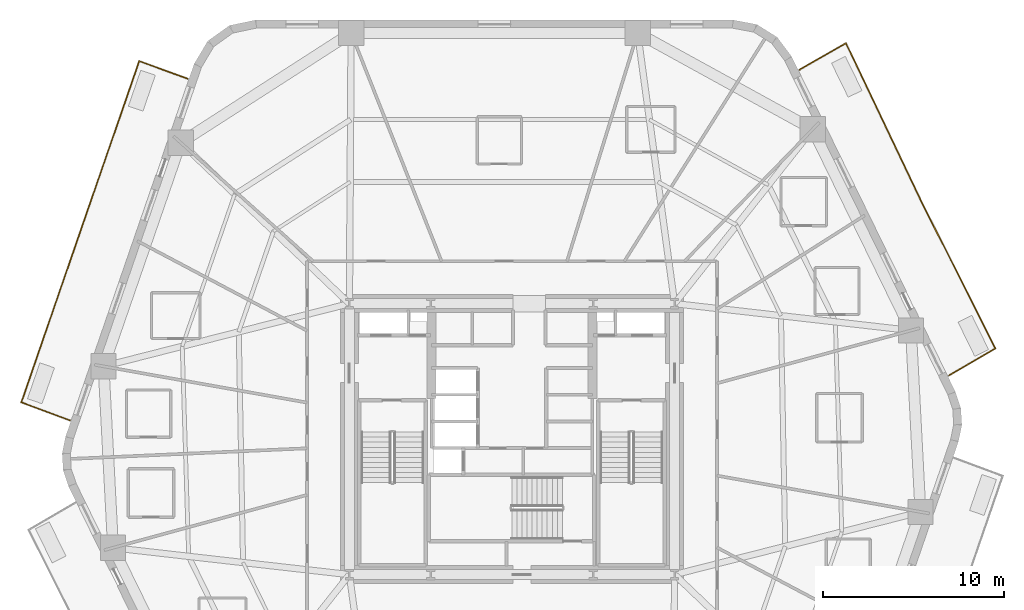
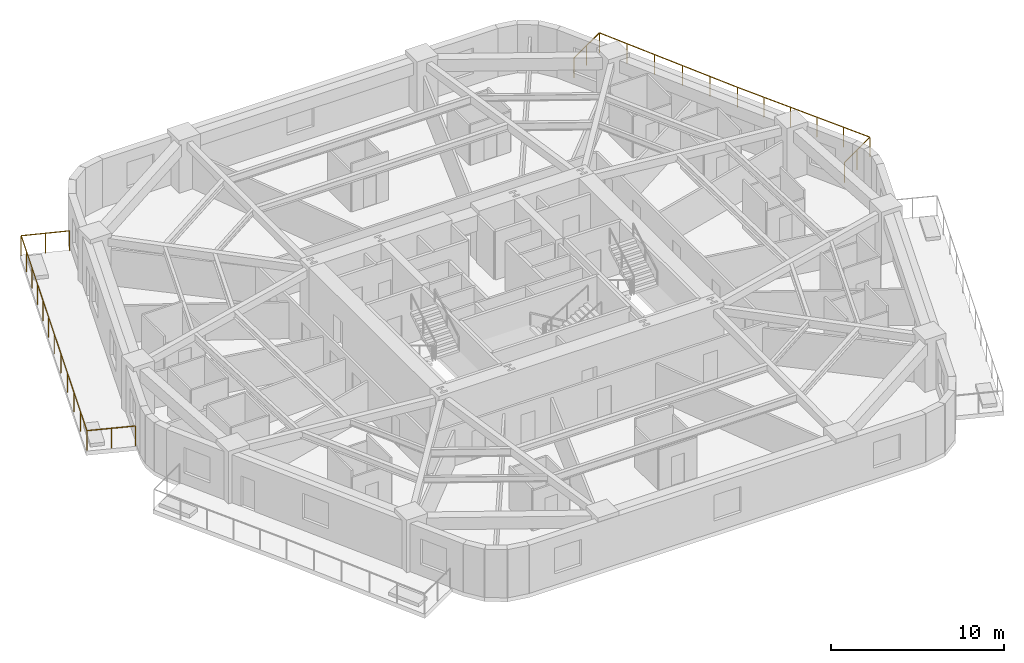
# One storey, part 10 of 10: 2 railings.
"""IFC4 building model written with IfcOpenShell, lengths in metres."""

from ifc_helpers import new_model, si_unit, direction, frame, origin, origin_2d, place, context, subcontext, project, spatial, rectangle, extrude, material, layer, layer_set, type_object, element, save


model = new_model("IFC4")

# Units and contexts
model_context = context("Model", 3, precision=1e-05, world=origin(), true_north=direction((0.0, 1.0)))
body_context = subcontext(model_context, "Body", "Model", "MODEL_VIEW")
ifc_project = project(units=[si_unit("LENGTHUNIT", "METRE"), si_unit("AREAUNIT", "SQUARE_METRE"), si_unit("VOLUMEUNIT", "CUBIC_METRE"), si_unit("PLANEANGLEUNIT", "RADIAN"), si_unit("MASSUNIT", "GRAM", prefix="KILO")], contexts=[model_context])

# Site, building, storey
site_placement = place(None, origin())
site = spatial("IfcSite", under=ifc_project, at=site_placement, CompositionType="ELEMENT")
building_placement = place(site_placement, origin())
building = spatial("IfcBuilding", under=site, at=building_placement, Name="Kilnhurst Terrace Hotel", CompositionType="ELEMENT")
storey_placement = place(building_placement, frame((0.0, 0.0, 78.60009765625)))
storey = spatial("IfcBuildingStorey", under=building, at=storey_placement, Name="L18", CompositionType="ELEMENT", Elevation=78.60009765625)

# Railings
ifc_material = material(Name="Laminated SentryGlas and Stainless Steel AISI 316L Balustrade", Category="steel")
ifc_layer = layer(ifc_material, 0.070068359375, Name="Laminated SentryGlas and Stainless Steel AISI 316L Balustrade")
ifc_layer_set = layer_set([ifc_layer], Name="Laminated SentryGlas and Stainless Steel AISI 316L Balustrade")
railing_type = type_object("IfcRailingType", Name="RLG-BAL-1420", PredefinedType="BALUSTRADE", material=ifc_layer_set)
railing_1_placement = place(storey_placement, frame((15.923095703125, 20.44873046875, 0.0)))
element("IfcRailing", 1, at=railing_1_placement, inside=storey, type_object=railing_type, Name="L18 Exterior Terrace Guardrail BAL-L1B.1", PredefinedType="BALUSTRADE", context=body_context, shape_type="SweptSolid", body=[
    extrude(rectangle(XDim=0.048095703125, YDim=0.048095703125, at=origin_2d()), frame((0.0, 0.0, 1.39599609375), z_axis=(0.86763656582, 0.497198943736, 0.0), x_axis=(-0.497198943736, 0.86763656582, 0.0)), (0.0, 0.0, 1.0), 2.95068359375),
    extrude(rectangle(XDim=0.048095703125, YDim=0.048095703125, at=origin_2d()), frame((2.56005859375, 1.467041015625, 1.39599609375), z_axis=(0.430147205624, -0.902758761516, 0.0), x_axis=(0.902758761516, 0.430147205624, 0.0)), (0.0, 0.0, 1.0), 9.67041015625),
    extrude(rectangle(XDim=0.048095703125, YDim=0.048095703125, at=origin_2d()), frame((6.7197265625, -7.262939453125, 1.39599609375), z_axis=(0.514495755428, -0.857492925713, 0.0), x_axis=(0.857492925713, 0.514495755428, 0.0)), (0.0, 0.0, 1.0), 0.00146484375),
    extrude(rectangle(XDim=0.048095703125, YDim=0.048095703125, at=origin_2d()), frame((6.720458984375, -7.26416015625, 1.39599609375), z_axis=(0.449648824937, -0.89320542667, 0.0), x_axis=(0.89320542667, 0.449648824937, 0.0)), (0.0, 0.0, 1.0), 9.136962890625),
    extrude(rectangle(XDim=0.048095703125, YDim=0.048095703125, at=origin_2d()), frame((10.828857421875, -15.42529296875, 1.39599609375), z_axis=(-0.863737120301, -0.503942642584, 0.0), x_axis=(0.503942642584, -0.863737120301, 0.0)), (0.0, 0.0, 1.0), 2.96728515625),
    extrude(rectangle(XDim=0.0419921875, YDim=0.0419921875, at=origin_2d()), origin(), (0.0, 0.0, 1.0), 1.371826171875),
    extrude(rectangle(XDim=0.0419921875, YDim=0.0419921875, at=origin_2d()), frame((1.280029296875, 0.7333984375, 0.0)), (0.0, 0.0, 1.0), 1.371826171875),
    extrude(rectangle(XDim=0.0419921875, YDim=0.0419921875, at=origin_2d()), frame((2.56005859375, 1.467041015625, 0.0)), (0.0, 0.0, 1.0), 1.371826171875),
    extrude(rectangle(XDim=0.0419921875, YDim=0.0419921875, at=origin_2d()), frame((3.39208984375, -0.279052734375, 0.0)), (0.0, 0.0, 1.0), 1.371826171875),
    extrude(rectangle(XDim=0.0419921875, YDim=0.0419921875, at=origin_2d()), frame((4.223876953125, -2.02490234375, 0.0)), (0.0, 0.0, 1.0), 1.371826171875),
    extrude(rectangle(XDim=0.0419921875, YDim=0.0419921875, at=origin_2d()), frame((5.055908203125, -3.77099609375, 0.0)), (0.0, 0.0, 1.0), 1.371826171875),
    extrude(rectangle(XDim=0.0419921875, YDim=0.0419921875, at=origin_2d()), frame((5.8876953125, -5.516845703125, 0.0)), (0.0, 0.0, 1.0), 1.371826171875),
    extrude(rectangle(XDim=0.0419921875, YDim=0.0419921875, at=origin_2d()), frame((6.7197265625, -7.262939453125, 0.0)), (0.0, 0.0, 1.0), 1.371826171875),
    extrude(rectangle(XDim=0.0419921875, YDim=0.0419921875, at=origin_2d()), frame((6.720458984375, -7.26416015625, 0.0)), (0.0, 0.0, 1.0), 1.371826171875),
    extrude(rectangle(XDim=0.0419921875, YDim=0.0419921875, at=origin_2d()), frame((7.542236328125, -8.896484375, 0.0)), (0.0, 0.0, 1.0), 1.371826171875),
    extrude(rectangle(XDim=0.0419921875, YDim=0.0419921875, at=origin_2d()), frame((8.36376953125, -10.528564453125, 0.0)), (0.0, 0.0, 1.0), 1.371826171875),
    extrude(rectangle(XDim=0.0419921875, YDim=0.0419921875, at=origin_2d()), frame((9.185546875, -12.160888671875, 0.0)), (0.0, 0.0, 1.0), 1.371826171875),
    extrude(rectangle(XDim=0.0419921875, YDim=0.0419921875, at=origin_2d()), frame((10.007080078125, -13.79296875, 0.0)), (0.0, 0.0, 1.0), 1.371826171875),
    extrude(rectangle(XDim=0.0419921875, YDim=0.0419921875, at=origin_2d()), frame((10.828857421875, -15.42529296875, 0.0)), (0.0, 0.0, 1.0), 1.371826171875),
    extrude(rectangle(XDim=0.0419921875, YDim=0.0419921875, at=origin_2d()), frame((9.54736328125, -16.1728515625, 0.0)), (0.0, 0.0, 1.0), 1.371826171875),
    extrude(rectangle(XDim=0.0419921875, YDim=0.0419921875, at=origin_2d()), frame((8.265869140625, -16.920654296875, 0.0)), (0.0, 0.0, 1.0), 1.371826171875),
])
railing_2_placement = place(storey_placement, frame((-24.485107421875, 1.041748046875, 0.0)))
element("IfcRailing", 2, at=railing_2_placement, inside=storey, type_object=railing_type, Name="L18 Exterior Terrace Guardrail BAL-L2A.1", PredefinedType="BALUSTRADE", context=body_context, shape_type="SweptSolid", body=[
    extrude(rectangle(XDim=0.048095703125, YDim=0.048095703125, at=origin_2d()), frame((0.0, 0.0, 1.39599609375), z_axis=(-0.937279097592, 0.348579823308, 0.0), x_axis=(-0.348579823308, -0.937279097592, 0.0)), (0.0, 0.0, 1.0), 2.85205078125),
    extrude(rectangle(XDim=0.048095703125, YDim=0.048095703125, at=origin_2d()), frame((-2.673095703125, 0.994140625, 1.39599609375), z_axis=(0.326159116329, 0.945314884488, 0.0), x_axis=(-0.945314884488, 0.326159116329, 0.0)), (0.0, 0.0, 1.0), 9.91650390625),
    extrude(rectangle(XDim=0.048095703125, YDim=0.048095703125, at=origin_2d()), frame((0.561279296875, 10.368408203125, 1.39599609375), z_axis=(0.326903959129, 0.945057565181, 0.0), x_axis=(-0.945057565181, 0.326903959129, 0.0)), (0.0, 0.0, 1.0), 10.065673828125),
    extrude(rectangle(XDim=0.048095703125, YDim=0.048095703125, at=origin_2d()), frame((3.851806640625, 19.881103515625, 1.39599609375), z_axis=(0.939926315563, -0.341377388402, 0.0), x_axis=(0.341377388402, 0.939926315563, 0.0)), (0.0, 0.0, 1.0), 2.84130859375),
    extrude(rectangle(XDim=0.0419921875, YDim=0.0419921875, at=origin_2d()), origin(), (0.0, 0.0, 1.0), 1.371826171875),
    extrude(rectangle(XDim=0.0419921875, YDim=0.0419921875, at=origin_2d()), frame((-1.33642578125, 0.4970703125, 0.0)), (0.0, 0.0, 1.0), 1.371826171875),
    extrude(rectangle(XDim=0.0419921875, YDim=0.0419921875, at=origin_2d()), frame((-2.673095703125, 0.994140625, 0.0)), (0.0, 0.0, 1.0), 1.371826171875),
    extrude(rectangle(XDim=0.0419921875, YDim=0.0419921875, at=origin_2d()), frame((-2.026123046875, 2.868896484375, 0.0)), (0.0, 0.0, 1.0), 1.371826171875),
    extrude(rectangle(XDim=0.0419921875, YDim=0.0419921875, at=origin_2d()), frame((-1.37939453125, 4.743896484375, 0.0)), (0.0, 0.0, 1.0), 1.371826171875),
    extrude(rectangle(XDim=0.0419921875, YDim=0.0419921875, at=origin_2d()), frame((-0.732421875, 6.61865234375, 0.0)), (0.0, 0.0, 1.0), 1.371826171875),
    extrude(rectangle(XDim=0.0419921875, YDim=0.0419921875, at=origin_2d()), frame((-0.085693359375, 8.49365234375, 0.0)), (0.0, 0.0, 1.0), 1.371826171875),
    extrude(rectangle(XDim=0.0419921875, YDim=0.0419921875, at=origin_2d()), frame((0.561279296875, 10.368408203125, 0.0)), (0.0, 0.0, 1.0), 1.371826171875),
    extrude(rectangle(XDim=0.0419921875, YDim=0.0419921875, at=origin_2d()), frame((1.109619140625, 11.953857421875, 0.0)), (0.0, 0.0, 1.0), 1.371826171875),
    extrude(rectangle(XDim=0.0419921875, YDim=0.0419921875, at=origin_2d()), frame((1.658203125, 13.539306640625, 0.0)), (0.0, 0.0, 1.0), 1.371826171875),
    extrude(rectangle(XDim=0.0419921875, YDim=0.0419921875, at=origin_2d()), frame((2.20654296875, 15.124755859375, 0.0)), (0.0, 0.0, 1.0), 1.371826171875),
    extrude(rectangle(XDim=0.0419921875, YDim=0.0419921875, at=origin_2d()), frame((2.7548828125, 16.710205078125, 0.0)), (0.0, 0.0, 1.0), 1.371826171875),
    extrude(rectangle(XDim=0.0419921875, YDim=0.0419921875, at=origin_2d()), frame((3.303466796875, 18.295654296875, 0.0)), (0.0, 0.0, 1.0), 1.371826171875),
    extrude(rectangle(XDim=0.0419921875, YDim=0.0419921875, at=origin_2d()), frame((3.851806640625, 19.881103515625, 0.0)), (0.0, 0.0, 1.0), 1.371826171875),
    extrude(rectangle(XDim=0.0419921875, YDim=0.0419921875, at=origin_2d()), frame((5.18701171875, 19.39599609375, 0.0)), (0.0, 0.0, 1.0), 1.371826171875),
    extrude(rectangle(XDim=0.0419921875, YDim=0.0419921875, at=origin_2d()), frame((6.5224609375, 18.9111328125, 0.0)), (0.0, 0.0, 1.0), 1.371826171875),
])

save(model, "model.ifc")
